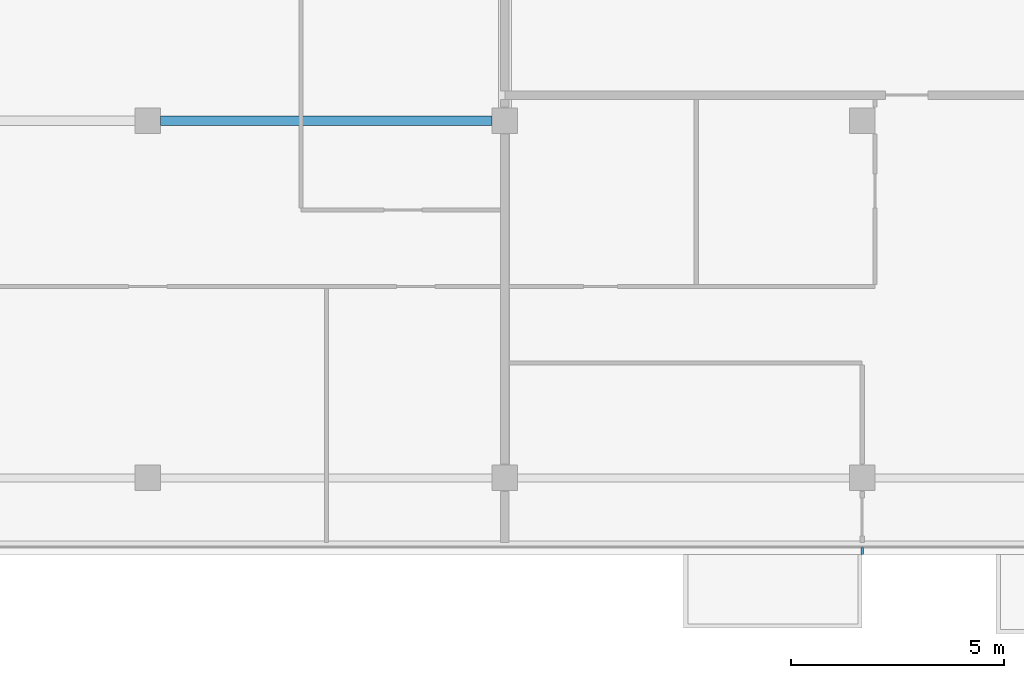
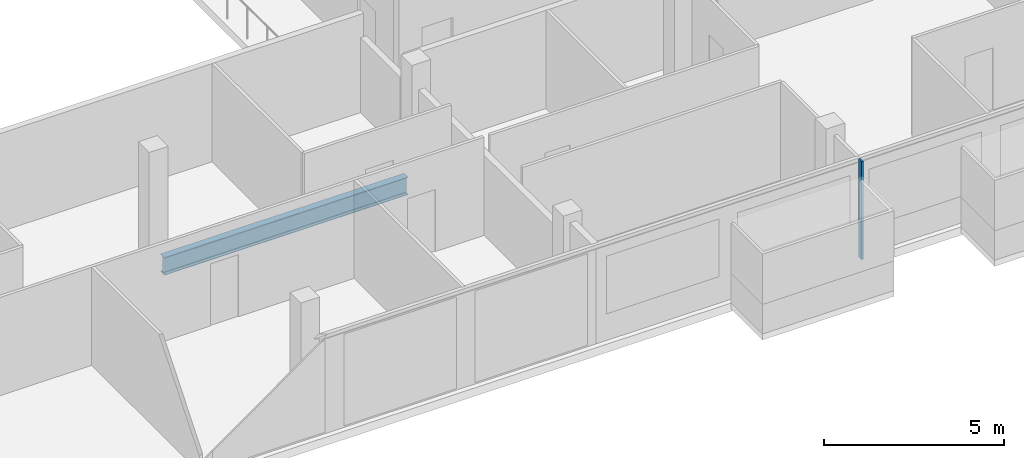
# One storey, part 6 of 30: 1 beam, 1 member, 1 element without a shape of its own.
"""IFC4 building model written with IfcOpenShell, lengths in metres."""

from ifc_helpers import new_model, si_unit, direction, frame, origin, origin_2d, place, context, subcontext, project, spatial, rectangle, i_section, extrude, material, material_profile, profile_set, type_object, element, aggregate, save


model = new_model("IFC4")

# Units and contexts
model_context = context("Model", 3, precision=1e-05, world=origin(), true_north=direction((0.0, 1.0)))
body_context = subcontext(model_context, "Body", "Model", "MODEL_VIEW")
ifc_project = project(units=[si_unit("LENGTHUNIT", "METRE"), si_unit("AREAUNIT", "SQUARE_METRE"), si_unit("VOLUMEUNIT", "CUBIC_METRE"), si_unit("PLANEANGLEUNIT", "RADIAN"), si_unit("MASSUNIT", "GRAM", prefix="KILO")], contexts=[model_context])

# Site, building, storey
site_placement = place(None, origin())
site = spatial("IfcSite", under=ifc_project, at=site_placement, CompositionType="ELEMENT")
building_placement = place(site_placement, origin())
building = spatial("IfcBuilding", under=site, at=building_placement, Name="Saffron Gate Tower", CompositionType="ELEMENT")
storey_placement = place(building_placement, frame((0.0, 0.0, 223.5)))
storey = spatial("IfcBuildingStorey", under=building, at=storey_placement, Name="L54", CompositionType="ELEMENT", Elevation=223.5)

# Beam
ifc_material_1 = material(Name="Structural steel S355", Category="steel")
ifc_material_profile_1 = material_profile(ifc_material_1, i_section(OverallWidth=0.219970703125, OverallDepth=0.60009765625, WebThickness=0.011962890625, FlangeThickness=0.01904296875, FilletRadius=0.02392578125, at=origin_2d()))
ifc_profile_set_1 = profile_set([ifc_material_profile_1], Name="Structural steel S355")
beam_type = type_object("IfcBeamType", Name="B15 IPE 600", PredefinedType="BEAM", material=ifc_profile_set_1)
beam_placement = place(storey_placement, frame((92.10009765625, 40.199951171875, -0.580078125), z_axis=(1.0, 0.0, 0.0), x_axis=(0.0, 1.0, 0.0)))
element("IfcBeam", 1, at=beam_placement, inside=storey, type_object=beam_type, Name="B15 FLOOR GIRDER", PredefinedType="BEAM", context=body_context, shape_type="SweptSolid", body=[
    extrude(i_section(OverallWidth=0.219970703125, OverallDepth=0.60009765625, WebThickness=0.011962890625, FlangeThickness=0.01904296875, FilletRadius=0.02392578125, at=origin_2d()), origin(), (0.0, 0.0, 1.0), 7.7998046875),
])

# Curtain wall, member
ifc_material_2 = material(Name="Aluminium, bronze anodised", Category="aluminium")
curtain_wall_type = type_object("IfcCurtainWallType", Name="CWS1 curtain wall front facade", PredefinedType="NOTDEFINED", material=ifc_material_2)
curtain_wall_placement = place(storey_placement, origin())
curtain_wall = element("IfcCurtainWall", 2, at=curtain_wall_placement, inside=storey, type_object=curtain_wall_type, Name="CWS1 run 1", PredefinedType="NOTDEFINED")
ifc_material_profile_2 = material_profile(ifc_material_2, rectangle(XDim=0.159912109375, YDim=0.06005859375, at=origin_2d()))
ifc_profile_set_2 = profile_set([ifc_material_profile_2], Name="Aluminium, bronze anodised")
member_type = type_object("IfcMemberType", Name="CWS1 mullion 60x160", PredefinedType="MULLION", material=ifc_profile_set_2)
member_placement = place(storey_placement, frame((108.60009765625, 30.080078125, 0.0), z_axis=(0.0, 0.0, 1.0), x_axis=(0.0, 1.0, 0.0)))
member = element("IfcMember", 3, at=member_placement, type_object=member_type, Name="CWS1 mullion 8", PredefinedType="MULLION", context=body_context, shape_type="SweptSolid", body=[
    extrude(rectangle(XDim=0.159912109375, YDim=0.06005859375, at=origin_2d()), origin(), (0.0, 0.0, 1.0), 3.320068359375),
])
aggregate(curtain_wall, [member])

save(model, "model.ifc")
